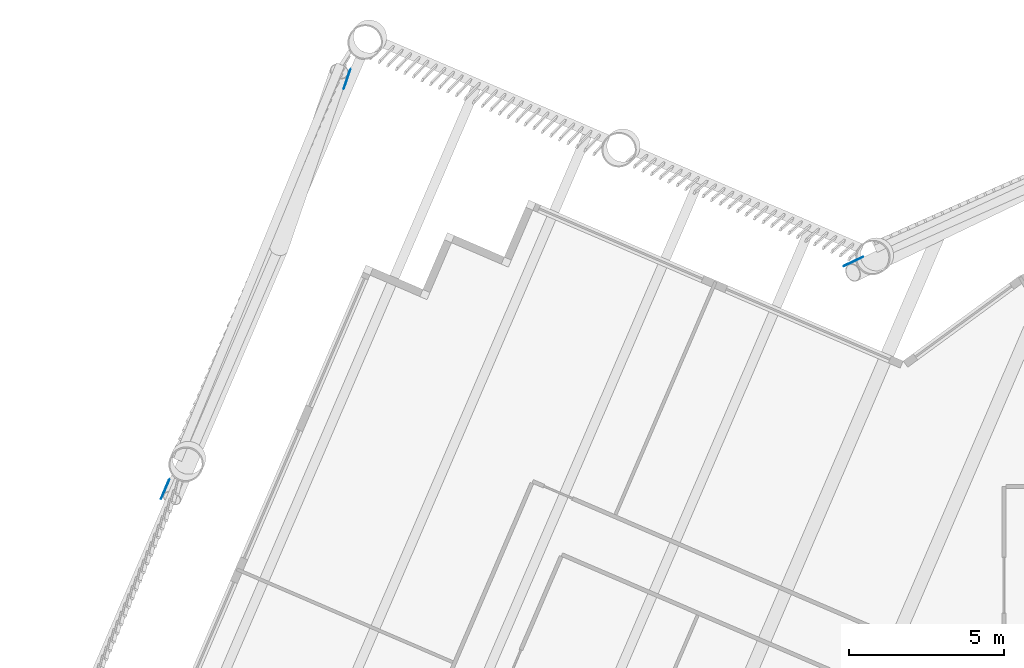
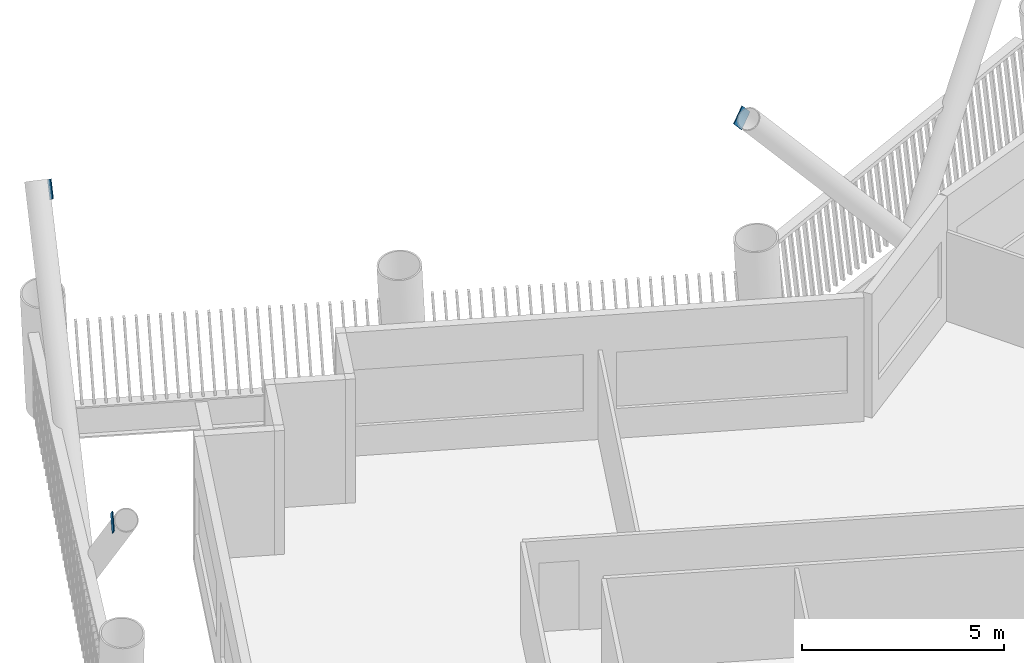
# One storey, part 10 of 22: 3 discrete accessories.
"""IFC4 building model written with IfcOpenShell, lengths in metres."""

from ifc_helpers import new_model, si_unit, direction, frame, origin, origin_2d, place, context, subcontext, project, spatial, rectangle, extrude, material, material_profile, profile_set, type_object, element, save


model = new_model("IFC4")

# Units and contexts
model_context = context("Model", 3, precision=1e-05, world=origin(), true_north=direction((0.0, 1.0)))
body_context = subcontext(model_context, "Body", "Model", "MODEL_VIEW")
ifc_project = project(units=[si_unit("LENGTHUNIT", "METRE"), si_unit("AREAUNIT", "SQUARE_METRE"), si_unit("VOLUMEUNIT", "CUBIC_METRE"), si_unit("PLANEANGLEUNIT", "RADIAN"), si_unit("MASSUNIT", "GRAM", prefix="KILO")], contexts=[model_context])

# Site, building, storey
site_placement = place(None, origin())
site = spatial("IfcSite", under=ifc_project, at=site_placement, CompositionType="ELEMENT")
building_placement = place(site_placement, origin())
building = spatial("IfcBuilding", under=site, at=building_placement, Name="Tarsis Ring Headquarters", CompositionType="ELEMENT")
storey_placement = place(building_placement, frame((0.0, 0.0, 186.60009765625)))
storey = spatial("IfcBuildingStorey", under=building, at=storey_placement, Name="L43", CompositionType="ELEMENT", Elevation=186.60009765625)

# Discrete accessories
ifc_material = material(Name="Structural steel S355", Category="steel")
ifc_material_profile = material_profile(ifc_material, rectangle(XDim=0.02490234375, YDim=0.5, at=origin_2d()), Name="PL 25x500")
ifc_profile_set = profile_set([ifc_material_profile], Name="Structural steel S355")
discrete_accessory_type = type_object("IfcDiscreteAccessoryType", Name="Gusset plate Exo brace 25", PredefinedType="BRACKET", material=ifc_profile_set)
discrete_accessory_1_placement = place(storey_placement, frame((-18.009521484375, 23.185791015625, 7.7998046875), z_axis=(0.604201939508, 0.290622598227, -0.741942397828), x_axis=(-0.433465120996, 0.901170343986, 0.0)))
element("IfcDiscreteAccessory", 1, at=discrete_accessory_1_placement, inside=storey, type_object=discrete_accessory_type, Name="Gusset plate GP5", PredefinedType="BRACKET", context=body_context, shape_type="SweptSolid", body=[
    extrude(rectangle(XDim=0.02490234375, YDim=0.5, at=origin_2d()), origin(), (0.0, 0.0, 1.0), 0.499755859375),
])
discrete_accessory_2_placement = place(storey_placement, frame((-40.14111328125, 15.7412109375, 7.7998046875), z_axis=(0.293936132185, 0.687966794433, -0.663553494418), x_axis=(-0.919583310231, 0.392895069382, 0.0)))
element("IfcDiscreteAccessory", 2, at=discrete_accessory_2_placement, inside=storey, type_object=discrete_accessory_type, Name="Gusset plate GP5", PredefinedType="BRACKET", context=body_context, shape_type="SweptSolid", body=[
    extrude(rectangle(XDim=0.02490234375, YDim=0.5, at=origin_2d()), origin(), (0.0, 0.0, 1.0), 0.5),
])
discrete_accessory_3_placement = place(storey_placement, frame((-34.14892578125, 29.29345703125, 7.7998046875), z_axis=(-0.197828182926, -0.577853680004, -0.791801196353), x_axis=(0.946093061513, -0.323894919622, 0.0)))
element("IfcDiscreteAccessory", 3, at=discrete_accessory_3_placement, inside=storey, type_object=discrete_accessory_type, Name="Gusset plate GP5", PredefinedType="BRACKET", context=body_context, shape_type="SweptSolid", body=[
    extrude(rectangle(XDim=0.02490234375, YDim=0.5, at=origin_2d()), origin(), (0.0, 0.0, 1.0), 0.499755859375),
])

save(model, "model.ifc")
